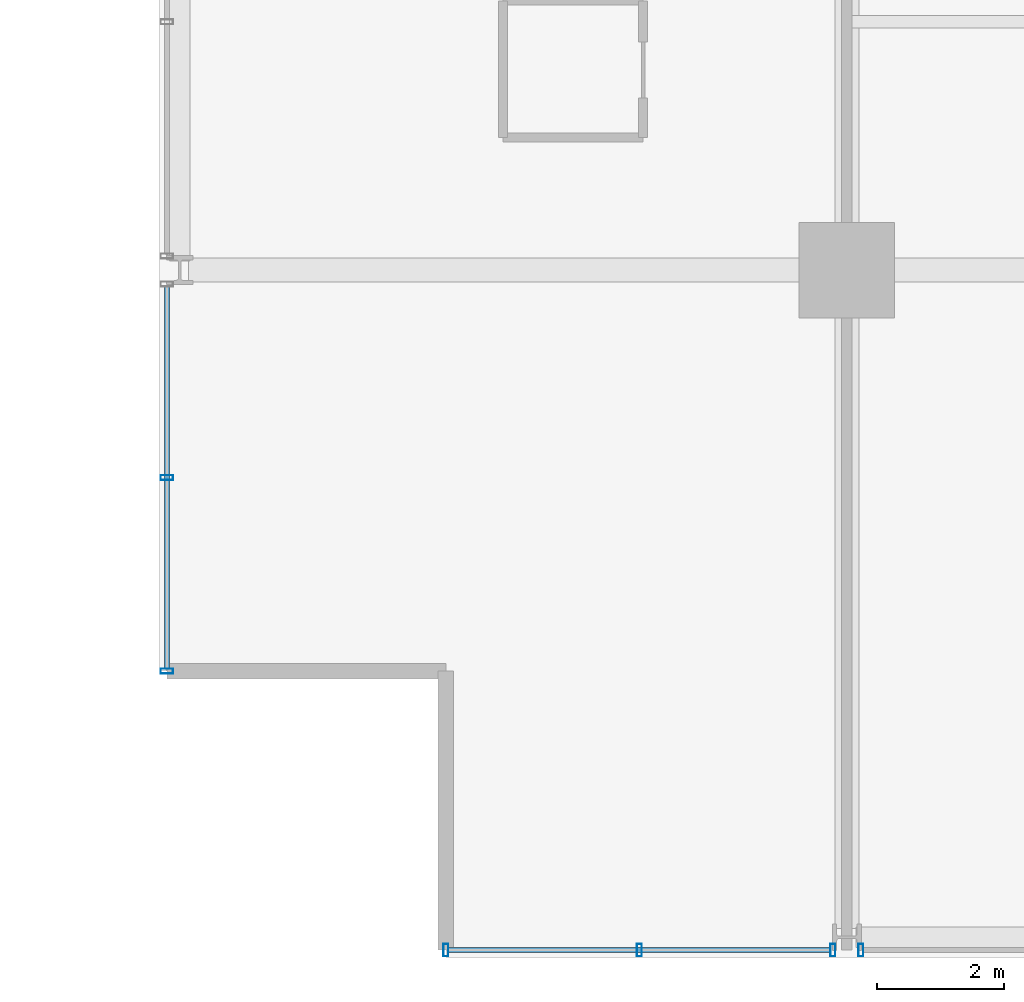
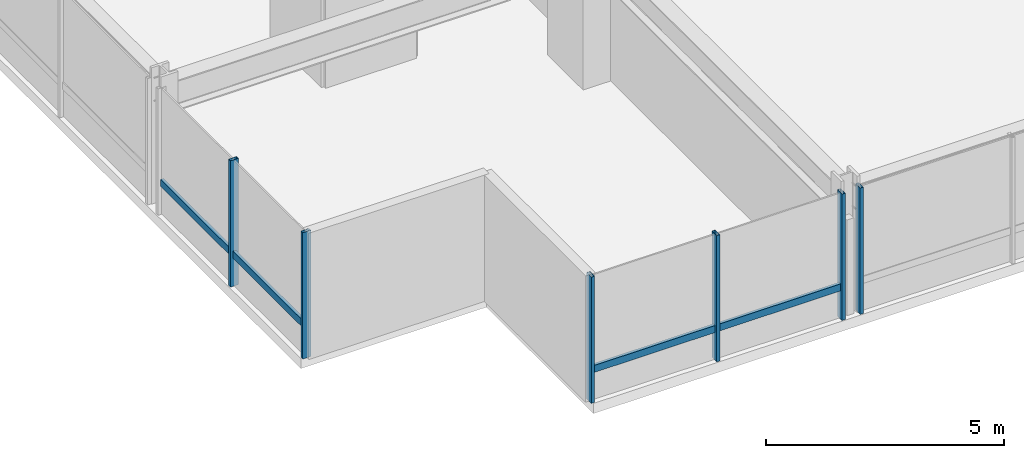
# One storey, part 2 of 34: 8 members, 3 elements without a shape of their own.
"""IFC4 building model written with IfcOpenShell, lengths in metres."""

from ifc_helpers import new_model, si_unit, direction, frame, origin, origin_2d, place, context, subcontext, project, spatial, hollow_rectangle, extrude, material, layer, layer_set, material_profile, profile_set, type_object, element, aggregate, save


model = new_model("IFC4")

# Units and contexts
model_context = context("Model", 3, precision=1e-05, world=origin(), true_north=direction((0.0, 1.0)))
body_context = subcontext(model_context, "Body", "Model", "MODEL_VIEW")
ifc_project = project(units=[si_unit("LENGTHUNIT", "METRE"), si_unit("AREAUNIT", "SQUARE_METRE"), si_unit("VOLUMEUNIT", "CUBIC_METRE"), si_unit("PLANEANGLEUNIT", "RADIAN"), si_unit("MASSUNIT", "GRAM", prefix="KILO")], contexts=[model_context])

# Site, building, storey
site_placement = place(None, origin())
site = spatial("IfcSite", under=ifc_project, at=site_placement, CompositionType="ELEMENT")
building_placement = place(site_placement, origin())
building = spatial("IfcBuilding", under=site, at=building_placement, Name="Drelvath Grand Hotel", CompositionType="ELEMENT")
storey_placement = place(building_placement, frame((0.0, 0.0, 102.300048828125)))
storey = spatial("IfcBuildingStorey", under=building, at=storey_placement, Name="L25", CompositionType="ELEMENT", Elevation=102.300048828125)

# Curtain wall, member
ifc_material = material(Name="Champagne Bronze Anodised Aluminium Frame", Category="aluminium")
ifc_layer = layer(ifc_material, 0.199951171875)
ifc_layer_set = layer_set([ifc_layer], Name="Champagne Bronze Anodised Aluminium Frame")
curtain_wall_type = type_object("IfcCurtainWallType", Name="Stick Curtain Wall CW-03 Champagne Bronze Mid-Rise", PredefinedType="NOTDEFINED", material=ifc_layer_set)
curtain_wall_1_placement = place(storey_placement, origin())
curtain_wall_1 = element("IfcCurtainWall", 1, at=curtain_wall_1_placement, inside=storey, type_object=curtain_wall_type, Name="L25 CW-03 Curtain Wall CW03-L25-WS1", PredefinedType="NOTDEFINED")
ifc_material_profile_1 = material_profile(ifc_material, hollow_rectangle(XDim=0.074951171875, YDim=0.179931640625, WallThickness=0.0048828125, at=origin_2d()), Name="HSS180X75X5")
ifc_profile_set_1 = profile_set([ifc_material_profile_1], Name="Champagne Bronze Anodised Aluminium Frame")
member_type_1 = type_object("IfcMemberType", Name="Curtain Wall Horizontal Transom CW-03 HSS180X75X5", PredefinedType="USERDEFINED", material=ifc_profile_set_1)
member_1_placement = place(storey_placement, frame((-26.8798828125, 4.5400390625, 0.81005859375), z_axis=(0.0, 1.0, 0.0), x_axis=(-1.0, 0.0, 0.0)))
member_1 = element("IfcMember", 2, at=member_1_placement, type_object=member_type_1, Name="CW03-L25-WS1 Sill Transom", ObjectType="TRANSOM", PredefinedType="USERDEFINED", context=body_context, shape_type="SweptSolid", body=[
    extrude(hollow_rectangle(XDim=0.074951171875, YDim=0.179931640625, WallThickness=0.0048828125, at=origin_2d()), origin(), (0.0, 0.0, 1.0), 6.000244140625),
])

curtain_wall_2_placement = place(storey_placement, origin())
curtain_wall_2 = element("IfcCurtainWall", 3, at=curtain_wall_2_placement, inside=storey, type_object=curtain_wall_type, Name="L25 CW-03 Curtain Wall CW03-L25-SW1", PredefinedType="NOTDEFINED")
member_2_placement = place(storey_placement, frame((-16.459716796875, 0.1201171875, 0.81005859375), z_axis=(-1.0, 0.0, 0.0), x_axis=(0.0, -1.0, 0.0)))
member_2 = element("IfcMember", 4, at=member_2_placement, type_object=member_type_1, Name="CW03-L25-SW1 Sill Transom", ObjectType="TRANSOM", PredefinedType="USERDEFINED", context=body_context, shape_type="SweptSolid", body=[
    extrude(hollow_rectangle(XDim=0.074951171875, YDim=0.179931640625, WallThickness=0.0048828125, at=origin_2d()), origin(), (0.0, 0.0, 1.0), 6.000244140625),
])

# Member
ifc_material_profile_2 = material_profile(ifc_material, hollow_rectangle(XDim=0.080078125, YDim=0.199951171875, WallThickness=0.0048828125, at=origin_2d()), Name="HSS200X80X5")
ifc_profile_set_2 = profile_set([ifc_material_profile_2], Name="Champagne Bronze Anodised Aluminium Frame")
member_type_2 = type_object("IfcMemberType", Name="Curtain Wall Vertical Mullion CW-03 HSS200X80X5", PredefinedType="MULLION", material=ifc_profile_set_2)
member_3_placement = place(storey_placement, frame((-26.8798828125, 4.5, 0.0), z_axis=(0.0, 0.0, 1.0), x_axis=(0.0, 1.0, 0.0)))
member_3 = element("IfcMember", 5, at=member_3_placement, type_object=member_type_2, Name="CW03-L25-WS1 Mullion 1", PredefinedType="MULLION", context=body_context, shape_type="SweptSolid", body=[
    extrude(hollow_rectangle(XDim=0.080078125, YDim=0.199951171875, WallThickness=0.0048828125, at=origin_2d()), origin(), (0.0, 0.0, 1.0), 3.239990234375),
])

member_4_placement = place(storey_placement, frame((-26.8798828125, 7.540283203125, 0.0), z_axis=(0.0, 0.0, 1.0), x_axis=(0.0, 1.0, 0.0)))
member_4 = element("IfcMember", 6, at=member_4_placement, type_object=member_type_2, Name="CW03-L25-WS1 Mullion 2", PredefinedType="MULLION", context=body_context, shape_type="SweptSolid", body=[
    extrude(hollow_rectangle(XDim=0.080078125, YDim=0.199951171875, WallThickness=0.0048828125, at=origin_2d()), origin(), (0.0, 0.0, 1.0), 3.239990234375),
])

aggregate(curtain_wall_1, [member_3, member_4, member_1])

member_5_placement = place(storey_placement, frame((-16.419677734375, 0.1201171875, 0.0), z_axis=(0.0, 0.0, 1.0), x_axis=(1.0, 0.0, 0.0)))
member_5 = element("IfcMember", 7, at=member_5_placement, type_object=member_type_2, Name="CW03-L25-SW1 Mullion 1", PredefinedType="MULLION", context=body_context, shape_type="SweptSolid", body=[
    extrude(hollow_rectangle(XDim=0.080078125, YDim=0.199951171875, WallThickness=0.0048828125, at=origin_2d()), origin(), (0.0, 0.0, 1.0), 3.239990234375),
])

member_6_placement = place(storey_placement, frame((-19.459716796875, 0.1201171875, 0.0), z_axis=(0.0, 0.0, 1.0), x_axis=(1.0, 0.0, 0.0)))
member_6 = element("IfcMember", 8, at=member_6_placement, type_object=member_type_2, Name="CW03-L25-SW1 Mullion 2", PredefinedType="MULLION", context=body_context, shape_type="SweptSolid", body=[
    extrude(hollow_rectangle(XDim=0.080078125, YDim=0.199951171875, WallThickness=0.0048828125, at=origin_2d()), origin(), (0.0, 0.0, 1.0), 3.239990234375),
])

member_7_placement = place(storey_placement, frame((-22.5, 0.1201171875, 0.0), z_axis=(0.0, 0.0, 1.0), x_axis=(1.0, 0.0, 0.0)))
member_7 = element("IfcMember", 9, at=member_7_placement, type_object=member_type_2, Name="CW03-L25-SW1 Mullion 3", PredefinedType="MULLION", context=body_context, shape_type="SweptSolid", body=[
    extrude(hollow_rectangle(XDim=0.080078125, YDim=0.199951171875, WallThickness=0.0048828125, at=origin_2d()), origin(), (0.0, 0.0, 1.0), 3.239990234375),
])

aggregate(curtain_wall_2, [member_5, member_6, member_7, member_2])

# Curtain wall, member
curtain_wall_3_placement = place(storey_placement, origin())
curtain_wall_3 = element("IfcCurtainWall", 10, at=curtain_wall_3_placement, inside=storey, type_object=curtain_wall_type, Name="L25 CW-03 Curtain Wall CW03-L25-SW2", PredefinedType="NOTDEFINED")
member_8_placement = place(storey_placement, frame((-15.98046875, 0.1201171875, 0.0), z_axis=(0.0, 0.0, 1.0), x_axis=(1.0, 0.0, 0.0)))
member_8 = element("IfcMember", 11, at=member_8_placement, type_object=member_type_2, Name="CW03-L25-SW2 Mullion 3", PredefinedType="MULLION", context=body_context, shape_type="SweptSolid", body=[
    extrude(hollow_rectangle(XDim=0.080078125, YDim=0.199951171875, WallThickness=0.0048828125, at=origin_2d()), origin(), (0.0, 0.0, 1.0), 3.239990234375),
])
aggregate(curtain_wall_3, [member_8])

save(model, "model.ifc")
